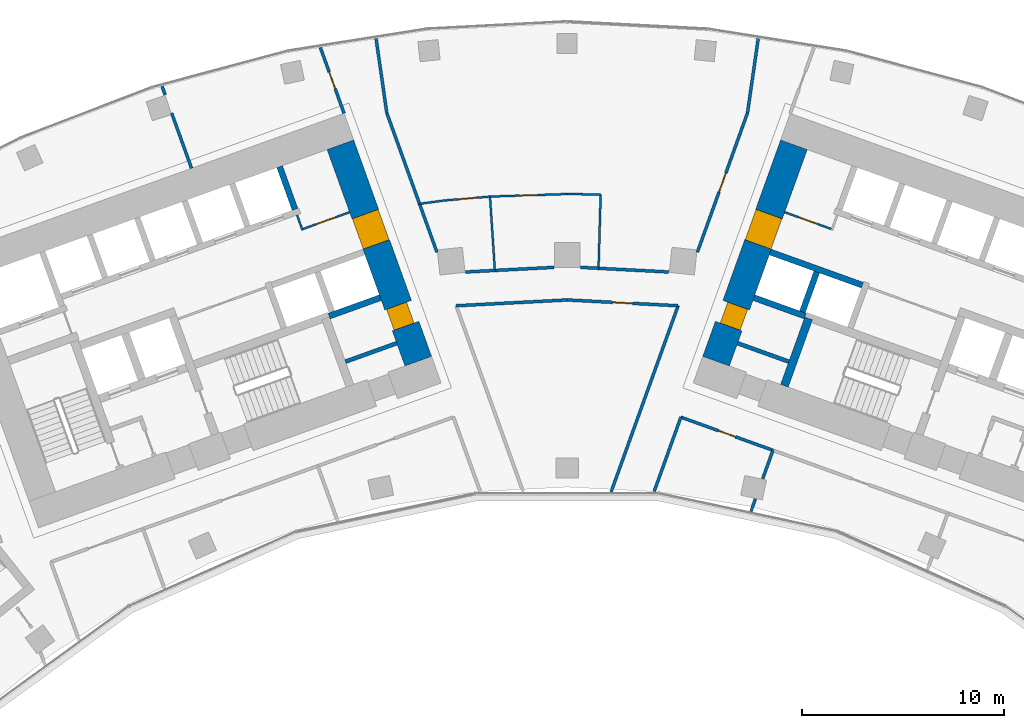
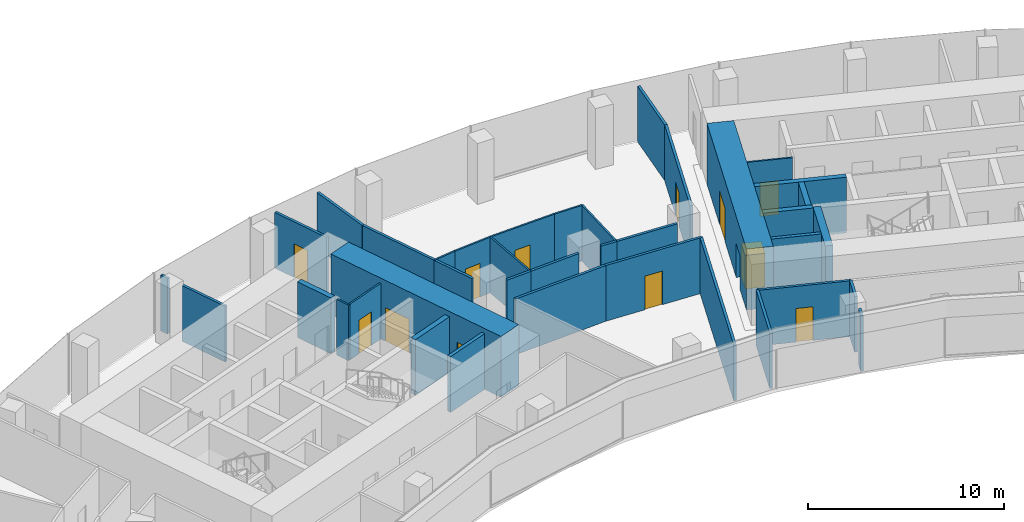
# One storey, part 15 of 20: 38 walls, 12 doors, 12 openings.
"""IFC4 building model written with IfcOpenShell, lengths in metres."""

from ifc_helpers import new_model, si_unit, direction, frame, frame_2d, origin, place, context, subcontext, project, spatial, rectangle, extrude, material, layer, layer_set, type_object, element, fill, save


model = new_model("IFC4")

# Units and contexts
model_context = context("Model", 3, precision=1e-05, world=origin(), true_north=direction((0.0, 1.0)))
body_context = subcontext(model_context, "Body", "Model", "MODEL_VIEW")
ifc_project = project(units=[si_unit("LENGTHUNIT", "METRE"), si_unit("AREAUNIT", "SQUARE_METRE"), si_unit("VOLUMEUNIT", "CUBIC_METRE"), si_unit("PLANEANGLEUNIT", "RADIAN"), si_unit("MASSUNIT", "GRAM", prefix="KILO")], contexts=[model_context])

# Site, building, storey
site_placement = place(None, origin())
site = spatial("IfcSite", under=ifc_project, at=site_placement, CompositionType="ELEMENT")
building_placement = place(site_placement, origin())
building = spatial("IfcBuilding", under=site, at=building_placement, Name="Stone Belt Terrace Tower", CompositionType="ELEMENT")
storey_placement = place(building_placement, frame((0.0, 0.0, 170.60009765625)))
storey = spatial("IfcBuildingStorey", under=building, at=storey_placement, Name="L41", CompositionType="ELEMENT", Elevation=170.60009765625)

# Wall
ifc_material_1 = material(Name="Plasterboard partition")
ifc_layer_1 = layer(ifc_material_1, 0.10009765625)
ifc_layer_set_1 = layer_set([ifc_layer_1], Name="Core partition 100")
wall_type_1 = type_object("IfcWallType", Name="Core partition 100", PredefinedType="PARTITIONING", material=ifc_layer_set_1)
wall_1_placement = place(storey_placement, frame((-13.115966796875, 56.230712890625, 0.0), z_axis=(0.0, 0.0, 1.0), x_axis=(-0.338481684961, 0.940972979923, 0.0)))
element("IfcWall", 1, at=wall_1_placement, inside=storey, type_object=wall_type_1, Name="Core A wall", PredefinedType="PARTITIONING", context=body_context, shape_type="SweptSolid", body=[
    extrude(rectangle(XDim=0.7998046875, YDim=0.10009765625, at=frame_2d((0.39990234375, 0.0))), origin(), (0.0, 0.0, 1.0), 3.47998046875),
])

# Wall, opening, door
wall_2_placement = place(storey_placement, frame((-13.085693359375, 56.294677734375, 0.0), z_axis=(0.0, 0.0, 1.0), x_axis=(0.940922976849, 0.338620660383, 0.0)))
wall_2 = element("IfcWall", 2, at=wall_2_placement, inside=storey, type_object=wall_type_1, Name="Core A wall", PredefinedType="PARTITIONING", context=body_context, shape_type="SweptSolid", body=[
    extrude(rectangle(XDim=2.449951171875, YDim=0.10009765625, at=frame_2d((1.22509765625, 0.0))), origin(), (0.0, 0.0, 1.0), 3.47998046875),
])
opening_1_placement = place(wall_2_placement, frame((0.699951171875, 0.0, 0.0)))
opening_1 = element("IfcOpeningElement", 3, at=opening_1_placement, cuts=wall_2, Name="Opening L41-C01", PredefinedType="OPENING", context=body_context, shape_type="SweptSolid", body=[
    extrude(rectangle(XDim=1.0, YDim=2.10009765625, at=frame_2d((0.5, 1.050048828125))), frame((0.0, 0.06005859375, 0.0), z_axis=(0.0, -1.0, 0.0), x_axis=(1.0, 0.0, 0.0)), (0.0, 0.0, 1.0), 0.1201171875),
])
ifc_material_2 = material(Name="Timber door leaf", Category="wood")
door_type_1 = type_object("IfcDoorType", Name="Core room door 1000", OperationType="SINGLE_SWING_LEFT", PredefinedType="DOOR", material=ifc_material_2)
door_1_placement = place(opening_1_placement, origin())
door_1 = element("IfcDoor", 4, at=door_1_placement, inside=storey, type_object=door_type_1, Name="Door to IT equipment room core A", OperationType="SINGLE_SWING_RIGHT", OverallHeight=2.10009765625, OverallWidth=1.0, PredefinedType="DOOR", context=body_context, shape_type="SweptSolid", body=[
    extrude(rectangle(XDim=1.0, YDim=2.10009765625, at=frame_2d((0.5, 1.050048828125))), frame((0.0, 0.02490234375, 0.0), z_axis=(0.0, -1.0, 0.0), x_axis=(1.0, 0.0, 0.0)), (0.0, 0.0, 1.0), 0.050048828125),
])
fill(opening_1, door_1)

wall_3_placement = place(storey_placement, frame((13.085693359375, 56.294677734375, 0.0), z_axis=(0.0, 0.0, 1.0), x_axis=(-0.940922976849, 0.338620660383, 0.0)))
wall_3 = element("IfcWall", 5, at=wall_3_placement, inside=storey, type_object=wall_type_1, Name="Core B wall", PredefinedType="PARTITIONING", context=body_context, shape_type="SweptSolid", body=[
    extrude(rectangle(XDim=2.449951171875, YDim=0.10009765625, at=frame_2d((1.22509765625, 0.0))), origin(), (0.0, 0.0, 1.0), 3.47998046875),
])
opening_2_placement = place(wall_3_placement, frame((0.699951171875, 0.0, 0.0)))
opening_2 = element("IfcOpeningElement", 6, at=opening_2_placement, cuts=wall_3, Name="Opening L41-C12", PredefinedType="OPENING", context=body_context, shape_type="SweptSolid", body=[
    extrude(rectangle(XDim=1.0, YDim=2.10009765625, at=frame_2d((0.5, 1.050048828125))), frame((0.0, 0.06005859375, 0.0), z_axis=(0.0, -1.0, 0.0), x_axis=(1.0, 0.0, 0.0)), (0.0, 0.0, 1.0), 0.1201171875),
])
door_2_placement = place(opening_2_placement, origin())
door_2 = element("IfcDoor", 7, at=door_2_placement, inside=storey, type_object=door_type_1, Name="Door to IT equipment room core B", OperationType="SINGLE_SWING_LEFT", OverallHeight=2.10009765625, OverallWidth=1.0, PredefinedType="DOOR", context=body_context, shape_type="SweptSolid", body=[
    extrude(rectangle(XDim=1.0, YDim=2.10009765625, at=frame_2d((0.5, 1.050048828125))), frame((0.0, 0.02490234375, 0.0), z_axis=(0.0, -1.0, 0.0), x_axis=(1.0, 0.0, 0.0)), (0.0, 0.0, 1.0), 0.050048828125),
])
fill(opening_2, door_2)

# Wall, openings, doors
ifc_material_3 = material(Name="Concrete B80", Category="concrete")
ifc_layer_2 = layer(ifc_material_3, 1.39990234375)
ifc_layer_set_2 = layer_set([ifc_layer_2], Name="Core wall 1400 B80")
wall_type_2 = type_object("IfcWallType", Name="Core wall 1400 B80", PredefinedType="SHEAR", material=ifc_layer_set_2)
wall_4_placement = place(storey_placement, frame((-7.379150390625, 49.73974609375, 0.0), z_axis=(0.0, 0.0, 1.0), x_axis=(-0.338625431531, 0.940921259788, 0.0)))
wall_4 = element("IfcWall", 8, at=wall_4_placement, inside=storey, type_object=wall_type_2, Name="Core A wall end_b L41", PredefinedType="SHEAR", context=body_context, shape_type="SweptSolid", body=[
    extrude(rectangle(XDim=11.400146484375, YDim=1.39990234375, at=frame_2d((5.7001953125, 0.0))), origin(), (0.0, 0.0, 1.0), 3.7998046875),
])
opening_3_placement = place(wall_4_placement, frame((6.14990234375, 0.0, 0.0)))
opening_3 = element("IfcOpeningElement", 9, at=opening_3_placement, cuts=wall_4, Name="Opening L41-C04", PredefinedType="OPENING", context=body_context, shape_type="SweptSolid", body=[
    extrude(rectangle(XDim=1.60009765625, YDim=2.10009765625, at=frame_2d((0.800048828125, 1.050048828125))), frame((0.0, 0.7099609375, 0.0), z_axis=(0.0, -1.0, 0.0), x_axis=(1.0, 0.0, 0.0)), (0.0, 0.0, 1.0), 1.419921875),
])
opening_4_placement = place(wall_4_placement, frame((1.85009765625, 0.0, 0.0)))
opening_4 = element("IfcOpeningElement", 10, at=opening_4_placement, cuts=wall_4, Name="Opening L41-C10", PredefinedType="OPENING", context=body_context, shape_type="SweptSolid", body=[
    extrude(rectangle(XDim=1.10009765625, YDim=2.10009765625, at=frame_2d((0.550048828125, 1.050048828125))), frame((0.0, 0.7099609375, 0.0), z_axis=(0.0, -1.0, 0.0), x_axis=(1.0, 0.0, 0.0)), (0.0, 0.0, 1.0), 1.419921875),
])
door_type_2 = type_object("IfcDoorType", Name="Core room door 1100", OperationType="SINGLE_SWING_LEFT", PredefinedType="DOOR", material=ifc_material_2)
door_3_placement = place(opening_4_placement, origin())
door_3 = element("IfcDoor", 11, at=door_3_placement, inside=storey, type_object=door_type_2, Name="Door to Accessible WC core A", OperationType="SINGLE_SWING_LEFT", OverallHeight=2.10009765625, OverallWidth=1.10009765625, PredefinedType="DOOR", context=body_context, shape_type="SweptSolid", body=[
    extrude(rectangle(XDim=1.10009765625, YDim=2.10009765625, at=frame_2d((0.550048828125, 1.050048828125))), frame((0.0, 0.60498046875, 0.0), z_axis=(0.0, -1.0, 0.0), x_axis=(1.0, 0.0, 0.0)), (0.0, 0.0, 1.0), 1.050048828125),
])
fill(opening_4, door_3)
ifc_material_4 = material(Name="Glazed aluminium door leaf", Category="aluminium")
door_type_3 = type_object("IfcDoorType", Name="Lift lobby entrance door 1600", OperationType="DOUBLE_DOOR_SINGLE_SWING", PredefinedType="DOOR", material=ifc_material_4)
door_4_placement = place(opening_3_placement, origin())
door_4 = element("IfcDoor", 12, at=door_4_placement, inside=storey, type_object=door_type_3, Name="Lift lobby entrance door core A", OperationType="DOUBLE_DOOR_SINGLE_SWING", OverallHeight=2.10009765625, OverallWidth=1.60009765625, PredefinedType="DOOR", context=body_context, shape_type="SweptSolid", body=[
    extrude(rectangle(XDim=1.60009765625, YDim=2.10009765625, at=frame_2d((0.800048828125, 1.050048828125))), frame((0.0, 0.68017578125, 0.0), z_axis=(0.0, -1.0, 0.0), x_axis=(1.0, 0.0, 0.0)), (0.0, 0.0, 1.0), 1.360107421875),
])
fill(opening_3, door_4)

wall_5_placement = place(storey_placement, frame((7.379150390625, 49.73974609375, 0.0), z_axis=(0.0, 0.0, 1.0), x_axis=(0.338625431531, 0.940921259788, 0.0)))
wall_5 = element("IfcWall", 13, at=wall_5_placement, inside=storey, type_object=wall_type_2, Name="Core B wall end_a L41", PredefinedType="SHEAR", context=body_context, shape_type="SweptSolid", body=[
    extrude(rectangle(XDim=11.400146484375, YDim=1.39990234375, at=frame_2d((5.7001953125, 0.0))), origin(), (0.0, 0.0, 1.0), 3.7998046875),
])
opening_5_placement = place(wall_5_placement, frame((6.14990234375, 0.0, 0.0)))
opening_5 = element("IfcOpeningElement", 14, at=opening_5_placement, cuts=wall_5, Name="Opening L41-C15", PredefinedType="OPENING", context=body_context, shape_type="SweptSolid", body=[
    extrude(rectangle(XDim=1.60009765625, YDim=2.10009765625, at=frame_2d((0.800048828125, 1.050048828125))), frame((0.0, 0.7099609375, 0.0), z_axis=(0.0, -1.0, 0.0), x_axis=(1.0, 0.0, 0.0)), (0.0, 0.0, 1.0), 1.419921875),
])
opening_6_placement = place(wall_5_placement, frame((1.85009765625, 0.0, 0.0)))
opening_6 = element("IfcOpeningElement", 15, at=opening_6_placement, cuts=wall_5, Name="Opening L41-C21", PredefinedType="OPENING", context=body_context, shape_type="SweptSolid", body=[
    extrude(rectangle(XDim=1.10009765625, YDim=2.10009765625, at=frame_2d((0.550048828125, 1.050048828125))), frame((0.0, 0.7099609375, 0.0), z_axis=(0.0, -1.0, 0.0), x_axis=(1.0, 0.0, 0.0)), (0.0, 0.0, 1.0), 1.419921875),
])
door_5_placement = place(opening_6_placement, origin())
door_5 = element("IfcDoor", 16, at=door_5_placement, inside=storey, type_object=door_type_2, Name="Door to Accessible WC core B", OperationType="SINGLE_SWING_RIGHT", OverallHeight=2.10009765625, OverallWidth=1.10009765625, PredefinedType="DOOR", context=body_context, shape_type="SweptSolid", body=[
    extrude(rectangle(XDim=1.10009765625, YDim=2.10009765625, at=frame_2d((0.550048828125, 1.050048828125))), frame((0.0, 0.44482421875, 0.0), z_axis=(0.0, -1.0, 0.0), x_axis=(1.0, 0.0, 0.0)), (0.0, 0.0, 1.0), 1.050048828125),
])
fill(opening_6, door_5)
door_6_placement = place(opening_5_placement, origin())
door_6 = element("IfcDoor", 17, at=door_6_placement, inside=storey, type_object=door_type_3, Name="Lift lobby entrance door core B", OperationType="DOUBLE_DOOR_SINGLE_SWING", OverallHeight=2.10009765625, OverallWidth=1.60009765625, PredefinedType="DOOR", context=body_context, shape_type="SweptSolid", body=[
    extrude(rectangle(XDim=1.60009765625, YDim=2.10009765625, at=frame_2d((0.800048828125, 1.050048828125))), frame((0.0, 0.68017578125, 0.0), z_axis=(0.0, -1.0, 0.0), x_axis=(1.0, 0.0, 0.0)), (0.0, 0.0, 1.0), 1.360107421875),
])
fill(opening_5, door_6)

# Walls
ifc_layer_3 = layer(ifc_material_3, 0.300048828125)
ifc_layer_set_3 = layer_set([ifc_layer_3], Name="Lift shaft wall 300")
wall_type_3 = type_object("IfcWallType", Name="Lift shaft wall 300", PredefinedType="SHEAR", material=ifc_layer_set_3)
wall_6_placement = place(storey_placement, frame((-11.797119140625, 51.975830078125, 0.0), z_axis=(0.0, 0.0, 1.0), x_axis=(0.940910465161, 0.33865542451, 0.0)))
element("IfcWall", 18, at=wall_6_placement, inside=storey, type_object=wall_type_3, Name="Core A wall", PredefinedType="SHEAR", context=body_context, shape_type="SweptSolid", body=[
    extrude(rectangle(XDim=2.69970703125, YDim=0.300048828125, at=frame_2d((1.349853515625, 0.0))), origin(), (0.0, 0.0, 1.0), 3.47998046875),
])
wall_7_placement = place(storey_placement, frame((-13.48828125, 57.265625, 0.0), z_axis=(0.0, 0.0, 1.0), x_axis=(-0.338631098537, 0.940919220286, 0.0)))
element("IfcWall", 19, at=wall_7_placement, inside=storey, type_object=wall_type_3, Name="Core A wall", PredefinedType="SHEAR", context=body_context, shape_type="SweptSolid", body=[
    extrude(rectangle(XDim=2.250244140625, YDim=0.300048828125, at=frame_2d((1.125, 0.0))), origin(), (0.0, 0.0, 1.0), 3.47998046875),
])
wall_8_placement = place(storey_placement, frame((14.6328125, 53.506103515625, 0.0), z_axis=(0.0, 0.0, 1.0), x_axis=(-0.940931684323, 0.338596464007, 0.0)))
element("IfcWall", 20, at=wall_8_placement, inside=storey, type_object=wall_type_3, Name="Core B wall", PredefinedType="SHEAR", context=body_context, shape_type="SweptSolid", body=[
    extrude(rectangle(XDim=4.849609375, YDim=0.300048828125, at=frame_2d((2.4248046875, 0.0))), origin(), (0.0, 0.0, 1.0), 3.47998046875),
])
wall_9_placement = place(storey_placement, frame((11.797119140625, 51.975830078125, 0.0), z_axis=(0.0, 0.0, 1.0), x_axis=(-0.940910465161, 0.33865542451, 0.0)))
element("IfcWall", 21, at=wall_9_placement, inside=storey, type_object=wall_type_3, Name="Core B wall", PredefinedType="SHEAR", context=body_context, shape_type="SweptSolid", body=[
    extrude(rectangle(XDim=2.69970703125, YDim=0.300048828125, at=frame_2d((1.349853515625, 0.0))), origin(), (0.0, 0.0, 1.0), 3.47998046875),
])
wall_10_placement = place(storey_placement, frame((11.659912109375, 52.184814453125, 0.0), z_axis=(0.0, 0.0, 1.0), x_axis=(0.338670064856, 0.940905195634, 0.0)))
element("IfcWall", 22, at=wall_10_placement, inside=storey, type_object=wall_type_3, Name="Core B wall", PredefinedType="SHEAR", context=body_context, shape_type="SweptSolid", body=[
    extrude(rectangle(XDim=2.099853515625, YDim=0.300048828125, at=frame_2d((1.0498046875, 0.0))), origin(), (0.0, 0.0, 1.0), 3.47998046875),
])

# Wall, opening, door
ifc_material_5 = material(Name="Gypsum board partition")
ifc_layer_4 = layer(ifc_material_5, 0.10009765625)
ifc_layer_set_4 = layer_set([ifc_layer_4], Name="PARTITION 100")
wall_type_4 = type_object("IfcWallType", Name="PARTITION 100", PredefinedType="PARTITIONING", material=ifc_layer_set_4)
wall_11_placement = place(storey_placement, frame((-3.823974609375, 57.89892578125, 0.0), z_axis=(0.0, 0.0, 1.0), x_axis=(-0.996353770626, -0.085318015439, 0.0)))
wall_11 = element("IfcWall", 23, at=wall_11_placement, inside=storey, type_object=wall_type_4, Name="L41/wall/i076", PredefinedType="PARTITIONING", context=body_context, shape_type="SweptSolid", body=[
    extrude(rectangle(XDim=2.249267578125, YDim=0.10009765625, at=frame_2d((1.12451171875, 0.0))), origin(), (0.0, 0.0, 1.0), 3.47998046875),
])
opening_7_placement = place(wall_11_placement, frame((0.674560546875, 0.0, 0.0)))
opening_7 = element("IfcOpeningElement", 24, at=opening_7_placement, cuts=wall_11, Name="Opening D-C3-25", PredefinedType="OPENING", context=body_context, shape_type="SweptSolid", body=[
    extrude(rectangle(XDim=0.89990234375, YDim=2.10009765625, at=frame_2d((0.449951171875, 1.050048828125))), frame((0.0, 0.06005859375, 0.0), z_axis=(0.0, -1.0, 0.0), x_axis=(1.0, 0.0, 0.0)), (0.0, 0.0, 1.0), 0.1201171875),
])
door_type_4 = type_object("IfcDoorType", Name="OFFICE DOOR 900 X 2100", OperationType="NOTDEFINED", PredefinedType="DOOR", material=ifc_material_2)
door_7_placement = place(opening_7_placement, origin())
door_7 = element("IfcDoor", 25, at=door_7_placement, inside=storey, type_object=door_type_4, Name="L41/door/i25", OperationType="SINGLE_SWING_RIGHT", OverallHeight=2.10009765625, OverallWidth=0.89990234375, PredefinedType="DOOR", context=body_context, shape_type="SweptSolid", body=[
    extrude(rectangle(XDim=0.89990234375, YDim=2.10009765625, at=frame_2d((0.449951171875, 1.050048828125))), frame((0.0, 0.02490234375, 0.0), z_axis=(0.0, -1.0, 0.0), x_axis=(1.0, 0.0, 0.0)), (0.0, 0.0, 1.0), 0.050048828125),
])
fill(opening_7, door_7)

# Walls
wall_12_placement = place(storey_placement, frame((-6.06494140625, 57.70703125, 0.0), z_axis=(0.0, 0.0, 1.0), x_axis=(-0.991238017123, -0.132087824608, 0.0)))
element("IfcWall", 26, at=wall_12_placement, inside=storey, type_object=wall_type_4, Name="L41/wall/i077", PredefinedType="PARTITIONING", context=body_context, shape_type="SweptSolid", body=[
    extrude(rectangle(XDim=1.26416015625, YDim=0.10009765625, at=frame_2d((0.632080078125, 0.0))), origin(), (0.0, 0.0, 1.0), 3.47998046875),
])
wall_13_placement = place(storey_placement, frame((1.555908203125, 54.343994140625, 0.0), z_axis=(0.0, 0.0, 1.0), x_axis=(0.028428321324, 0.999595833598, 0.0)))
element("IfcWall", 27, at=wall_13_placement, inside=storey, type_object=wall_type_4, Name="L41/wall/i078", PredefinedType="PARTITIONING", context=body_context, shape_type="SweptSolid", body=[
    extrude(rectangle(XDim=3.658447265625, YDim=0.10009765625, at=frame_2d((1.8291015625, 0.0))), origin(), (0.0, 0.0, 1.0), 3.47998046875),
])
wall_14_placement = place(storey_placement, frame((1.659912109375, 58.0009765625, 0.0), z_axis=(0.0, 0.0, 1.0), x_axis=(-0.999896136152, 0.014412387313, 0.0)))
element("IfcWall", 28, at=wall_14_placement, inside=storey, type_object=wall_type_4, Name="L41/wall/i079", PredefinedType="PARTITIONING", context=body_context, shape_type="SweptSolid", body=[
    extrude(rectangle(XDim=1.66015625, YDim=0.10009765625, at=frame_2d((0.830078125, 0.0))), origin(), (0.0, 0.0, 1.0), 3.47998046875),
])

# Wall, opening, door
wall_15_placement = place(storey_placement, frame((0.0, 58.02490234375, 0.0), z_axis=(0.0, 0.0, 1.0), x_axis=(-0.999457791673, -0.032926018036, 0.0)))
wall_15 = element("IfcWall", 29, at=wall_15_placement, inside=storey, type_object=wall_type_4, Name="L41/wall/i080", PredefinedType="PARTITIONING", context=body_context, shape_type="SweptSolid", body=[
    extrude(rectangle(XDim=3.825927734375, YDim=0.10009765625, at=frame_2d((1.9130859375, 0.0))), origin(), (0.0, 0.0, 1.0), 3.47998046875),
])
opening_8_placement = place(wall_15_placement, frame((1.463134765625, 0.0, 0.0)))
opening_8 = element("IfcOpeningElement", 30, at=opening_8_placement, cuts=wall_15, Name="Opening D-C3-26", PredefinedType="OPENING", context=body_context, shape_type="SweptSolid", body=[
    extrude(rectangle(XDim=0.89990234375, YDim=2.10009765625, at=frame_2d((0.449951171875, 1.050048828125))), frame((0.0, 0.06005859375, 0.0), z_axis=(0.0, -1.0, 0.0), x_axis=(1.0, 0.0, 0.0)), (0.0, 0.0, 1.0), 0.1201171875),
])
door_8_placement = place(opening_8_placement, origin())
door_8 = element("IfcDoor", 31, at=door_8_placement, inside=storey, type_object=door_type_4, Name="L41/door/i26", OperationType="SINGLE_SWING_RIGHT", OverallHeight=2.10009765625, OverallWidth=0.89990234375, PredefinedType="DOOR", context=body_context, shape_type="SweptSolid", body=[
    extrude(rectangle(XDim=0.89990234375, YDim=2.10009765625, at=frame_2d((0.449951171875, 1.050048828125))), frame((0.0, 0.02490234375, 0.0), z_axis=(0.0, -1.0, 0.0), x_axis=(1.0, 0.0, 0.0)), (0.0, 0.0, 1.0), 0.050048828125),
])
fill(opening_8, door_8)

# Wall
wall_16_placement = place(storey_placement, frame((-3.823974609375, 57.89892578125, 0.0), z_axis=(0.0, 0.0, 1.0), x_axis=(0.065927328972, -0.997824427089, 0.0)))
element("IfcWall", 32, at=wall_16_placement, inside=storey, type_object=wall_type_4, Name="L41/wall/i081", PredefinedType="PARTITIONING", context=body_context, shape_type="SweptSolid", body=[
    extrude(rectangle(XDim=3.669921875, YDim=0.10009765625, at=frame_2d((1.8349609375, 0.0))), origin(), (0.0, 0.0, 1.0), 3.47998046875),
])

# Wall, opening, door
ifc_layer_5 = layer(ifc_material_5, 0.14990234375)
ifc_layer_set_5 = layer_set([ifc_layer_5], Name="PARTITION 150 EI 60")
wall_type_5 = type_object("IfcWallType", Name="PARTITION 150 EI 60", PredefinedType="PARTITIONING", material=ifc_layer_set_5)
wall_17_placement = place(storey_placement, frame((-11.054931640625, 62.02099609375, 0.0), z_axis=(0.0, 0.0, 1.0), x_axis=(-0.338942963923, 0.940806923448, 0.0)))
wall_17 = element("IfcWall", 33, at=wall_17_placement, inside=storey, type_object=wall_type_5, Name="L41/wall/i009", PredefinedType="PARTITIONING", context=body_context, shape_type="SweptSolid", body=[
    extrude(rectangle(XDim=3.481201171875, YDim=0.14990234375, at=frame_2d((1.74072265625, 0.0))), origin(), (0.0, 0.0, 1.0), 3.47998046875),
])
opening_9_placement = place(wall_17_placement, frame((1.29052734375, 0.0, 0.0)))
opening_9 = element("IfcOpeningElement", 34, at=opening_9_placement, cuts=wall_17, Name="Opening D-C3-05", PredefinedType="OPENING", context=body_context, shape_type="SweptSolid", body=[
    extrude(rectangle(XDim=0.89990234375, YDim=2.10009765625, at=frame_2d((0.449951171875, 1.050048828125))), frame((0.0, 0.0849609375, 0.0), z_axis=(0.0, -1.0, 0.0), x_axis=(1.0, 0.0, 0.0)), (0.0, 0.0, 1.0), 0.169921875),
])
door_9_placement = place(opening_9_placement, origin())
door_9 = element("IfcDoor", 35, at=door_9_placement, inside=storey, type_object=door_type_4, Name="L41/door/i05", OperationType="SINGLE_SWING_RIGHT", OverallHeight=2.10009765625, OverallWidth=0.89990234375, PredefinedType="DOOR", context=body_context, shape_type="SweptSolid", body=[
    extrude(rectangle(XDim=0.89990234375, YDim=2.10009765625, at=frame_2d((0.449951171875, 1.050048828125))), frame((0.0, 0.02490234375, 0.0), z_axis=(0.0, -1.0, 0.0), x_axis=(1.0, 0.0, 0.0)), (0.0, 0.0, 1.0), 0.050048828125),
])
fill(opening_9, door_9)

# Walls
wall_18_placement = place(storey_placement, frame((-9.47021484375, 65.736083984375, 0.0), z_axis=(0.0, 0.0, 1.0), x_axis=(0.14267653425, -0.989769370396, 0.0)))
element("IfcWall", 36, at=wall_18_placement, inside=storey, type_object=wall_type_5, Name="L41/wall/i011", PredefinedType="PARTITIONING", context=body_context, shape_type="SweptSolid", body=[
    extrude(rectangle(XDim=3.730224609375, YDim=0.14990234375, at=frame_2d((1.865234375, 0.0))), origin(), (0.0, 0.0, 1.0), 3.47998046875),
])
wall_19_placement = place(storey_placement, frame((-8.93798828125, 62.04296875, 0.0), z_axis=(0.0, 0.0, 1.0), x_axis=(0.338681584055, -0.940901049326, 0.0)))
element("IfcWall", 37, at=wall_19_placement, inside=storey, type_object=wall_type_5, Name="L41/wall/i012", PredefinedType="PARTITIONING", context=body_context, shape_type="SweptSolid", body=[
    extrude(rectangle(XDim=4.792236328125, YDim=0.14990234375, at=frame_2d((2.39599609375, 0.0))), origin(), (0.0, 0.0, 1.0), 3.47998046875),
])
wall_20_placement = place(storey_placement, frame((-7.319091796875, 57.5458984375, 0.0), z_axis=(0.0, 0.0, 1.0), x_axis=(0.338411575899, -0.940998196224, 0.0)))
element("IfcWall", 38, at=wall_20_placement, inside=storey, type_object=wall_type_5, Name="L41/wall/i013", PredefinedType="PARTITIONING", context=body_context, shape_type="SweptSolid", body=[
    extrude(rectangle(XDim=2.555419921875, YDim=0.14990234375, at=frame_2d((1.27783203125, 0.0))), origin(), (0.0, 0.0, 1.0), 3.47998046875),
])
wall_21_placement = place(storey_placement, frame((-20.079833984375, 63.37109375, 0.0), z_axis=(0.0, 0.0, 1.0), x_axis=(0.338472917715, -0.940976133583, 0.0)))
element("IfcWall", 39, at=wall_21_placement, inside=storey, type_object=wall_type_5, Name="L41/wall/i019", PredefinedType="PARTITIONING", context=body_context, shape_type="SweptSolid", body=[
    extrude(rectangle(XDim=0.455810546875, YDim=0.14990234375, at=frame_2d((0.22802734375, 0.0))), origin(), (0.0, 0.0, 1.0), 3.47998046875),
])
wall_22_placement = place(storey_placement, frame((-19.599609375, 62.036376953125, 0.0), z_axis=(0.0, 0.0, 1.0), x_axis=(0.338579742178, -0.940937701544, 0.0)))
element("IfcWall", 40, at=wall_22_placement, inside=storey, type_object=wall_type_5, Name="L41/wall/i020", PredefinedType="PARTITIONING", context=body_context, shape_type="SweptSolid", body=[
    extrude(rectangle(XDim=2.908203125, YDim=0.14990234375, at=frame_2d((1.4541015625, 0.0))), origin(), (0.0, 0.0, 1.0), 3.47998046875),
])
wall_23_placement = place(storey_placement, frame((5.638916015625, 46.971923828125, 0.0), z_axis=(0.0, 0.0, 1.0), x_axis=(-0.338569683937, -0.940941320763, 0.0)))
element("IfcWall", 41, at=wall_23_placement, inside=storey, type_object=wall_type_5, Name="L41/wall/i021", PredefinedType="PARTITIONING", context=body_context, shape_type="SweptSolid", body=[
    extrude(rectangle(XDim=3.9248046875, YDim=0.14990234375, at=frame_2d((1.96240234375, 0.0))), origin(), (0.0, 0.0, 1.0), 3.47998046875),
])
wall_24_placement = place(storey_placement, frame((2.178466796875, 43.26171875, 0.0), z_axis=(0.0, 0.0, 1.0), x_axis=(0.338654259988, 0.940910884299, 0.0)))
element("IfcWall", 42, at=wall_24_placement, inside=storey, type_object=wall_type_5, Name="L41/wall/i023", PredefinedType="PARTITIONING", context=body_context, shape_type="SweptSolid", body=[
    extrude(rectangle(XDim=9.81103515625, YDim=0.14990234375, at=frame_2d((4.905517578125, 0.0))), origin(), (0.0, 0.0, 1.0), 3.47998046875),
])

# Wall, opening, door
wall_25_placement = place(storey_placement, frame((6.4541015625, 55.140625, 0.0), z_axis=(0.0, 0.0, 1.0), x_axis=(0.338603971116, 0.940928982838, 0.0)))
wall_25 = element("IfcWall", 43, at=wall_25_placement, inside=storey, type_object=wall_type_5, Name="L41/wall/i024", PredefinedType="PARTITIONING", context=body_context, shape_type="SweptSolid", body=[
    extrude(rectangle(XDim=7.335693359375, YDim=0.14990234375, at=frame_2d((3.66796875, 0.0))), origin(), (0.0, 0.0, 1.0), 3.47998046875),
])
opening_10_placement = place(wall_25_placement, frame((3.16796875, 0.0, 0.0)))
opening_10 = element("IfcOpeningElement", 44, at=opening_10_placement, cuts=wall_25, Name="Opening D-C3-24", PredefinedType="OPENING", context=body_context, shape_type="SweptSolid", body=[
    extrude(rectangle(XDim=1.0, YDim=2.10009765625, at=frame_2d((0.5, 1.050048828125))), frame((0.0, 0.0849609375, 0.0), z_axis=(0.0, -1.0, 0.0), x_axis=(1.0, 0.0, 0.0)), (0.0, 0.0, 1.0), 0.169921875),
])
ifc_material_6 = material(Name="Timber fire door leaf", Category="wood")
door_type_5 = type_object("IfcDoorType", Name="TENANCY ENTRANCE DOOR 1000 X 2100", OperationType="NOTDEFINED", PredefinedType="DOOR", material=ifc_material_6)
door_10_placement = place(opening_10_placement, origin())
door_10 = element("IfcDoor", 45, at=door_10_placement, inside=storey, type_object=door_type_5, Name="L41/door/i24", OperationType="SINGLE_SWING_RIGHT", OverallHeight=2.10009765625, OverallWidth=1.0, PredefinedType="DOOR", context=body_context, shape_type="SweptSolid", body=[
    extrude(rectangle(XDim=1.0, YDim=2.10009765625, at=frame_2d((0.5, 1.050048828125))), frame((0.0, 0.02490234375, 0.0), z_axis=(0.0, -1.0, 0.0), x_axis=(1.0, 0.0, 0.0)), (0.0, 0.0, 1.0), 0.050048828125),
])
fill(opening_10, door_10)

# Wall
wall_26_placement = place(storey_placement, frame((8.93798828125, 62.0439453125, 0.0), z_axis=(0.0, 0.0, 1.0), x_axis=(0.14267653425, 0.989769370396, 0.0)))
element("IfcWall", 46, at=wall_26_placement, inside=storey, type_object=wall_type_5, Name="L41/wall/i025", PredefinedType="PARTITIONING", context=body_context, shape_type="SweptSolid", body=[
    extrude(rectangle(XDim=3.730224609375, YDim=0.14990234375, at=frame_2d((1.865234375, 0.0))), origin(), (0.0, 0.0, 1.0), 3.47998046875),
])

# Wall, opening, door
wall_27_placement = place(storey_placement, frame((10.205078125, 45.322021484375, 0.0), z_axis=(0.0, 0.0, 1.0), x_axis=(-0.94091881935, 0.338632212575, 0.0)))
wall_27 = element("IfcWall", 47, at=wall_27_placement, inside=storey, type_object=wall_type_5, Name="L41/wall/i032", PredefinedType="PARTITIONING", context=body_context, shape_type="SweptSolid", body=[
    extrude(rectangle(XDim=4.85498046875, YDim=0.14990234375, at=frame_2d((2.427490234375, 0.0))), origin(), (0.0, 0.0, 1.0), 3.47998046875),
])
opening_11_placement = place(wall_27_placement, frame((1.977294921875, 0.0, 0.0)))
opening_11 = element("IfcOpeningElement", 48, at=opening_11_placement, cuts=wall_27, Name="Opening D-C3-06", PredefinedType="OPENING", context=body_context, shape_type="SweptSolid", body=[
    extrude(rectangle(XDim=0.89990234375, YDim=2.10009765625, at=frame_2d((0.449951171875, 1.050048828125))), frame((0.0, 0.0849609375, 0.0), z_axis=(0.0, -1.0, 0.0), x_axis=(1.0, 0.0, 0.0)), (0.0, 0.0, 1.0), 0.169921875),
])
door_11_placement = place(opening_11_placement, origin())
door_11 = element("IfcDoor", 49, at=door_11_placement, inside=storey, type_object=door_type_4, Name="L41/door/i06", OperationType="SINGLE_SWING_RIGHT", OverallHeight=2.10009765625, OverallWidth=0.89990234375, PredefinedType="DOOR", context=body_context, shape_type="SweptSolid", body=[
    extrude(rectangle(XDim=0.89990234375, YDim=2.10009765625, at=frame_2d((0.449951171875, 1.050048828125))), frame((0.0, 0.02490234375, 0.0), z_axis=(0.0, -1.0, 0.0), x_axis=(1.0, 0.0, 0.0)), (0.0, 0.0, 1.0), 0.050048828125),
])
fill(opening_11, door_11)

# Walls
wall_28_placement = place(storey_placement, frame((10.198974609375, 45.323974609375, 0.0), z_axis=(0.0, 0.0, 1.0), x_axis=(-0.338418266877, -0.940995789918, 0.0)))
element("IfcWall", 50, at=wall_28_placement, inside=storey, type_object=wall_type_5, Name="L41/wall/i035", PredefinedType="PARTITIONING", context=body_context, shape_type="SweptSolid", body=[
    extrude(rectangle(XDim=1.49267578125, YDim=0.14990234375, at=frame_2d((0.746337890625, 0.0))), origin(), (0.0, 0.0, 1.0), 3.47998046875),
])
wall_29_placement = place(storey_placement, frame((9.33154296875, 42.91259765625, 0.0), z_axis=(0.0, 0.0, 1.0), x_axis=(-0.338470305023, -0.940977073375, 0.0)))
element("IfcWall", 51, at=wall_29_placement, inside=storey, type_object=wall_type_5, Name="L41/wall/i036", PredefinedType="PARTITIONING", context=body_context, shape_type="SweptSolid", body=[
    extrude(rectangle(XDim=0.6591796875, YDim=0.14990234375, at=frame_2d((0.32958984375, 0.0))), origin(), (0.0, 0.0, 1.0), 3.47998046875),
])

# Wall, opening, door
wall_30_placement = place(storey_placement, frame((5.4990234375, 52.487060546875, 0.0), z_axis=(0.0, 0.0, 1.0), x_axis=(-0.998632852887, 0.052272604047, 0.0)))
wall_30 = element("IfcWall", 52, at=wall_30_placement, inside=storey, type_object=wall_type_5, Name="L41/wall/i070", PredefinedType="PARTITIONING", context=body_context, shape_type="SweptSolid", body=[
    extrude(rectangle(XDim=5.506591796875, YDim=0.14990234375, at=frame_2d((2.75341796875, 0.0))), origin(), (0.0, 0.0, 1.0), 3.47998046875),
])
opening_12_placement = place(wall_30_placement, frame((2.253173828125, 0.0, 0.0)))
opening_12 = element("IfcOpeningElement", 53, at=opening_12_placement, cuts=wall_30, Name="Opening D-C3-23", PredefinedType="OPENING", context=body_context, shape_type="SweptSolid", body=[
    extrude(rectangle(XDim=1.0, YDim=2.10009765625, at=frame_2d((0.5, 1.050048828125))), frame((0.0, 0.0849609375, 0.0), z_axis=(0.0, -1.0, 0.0), x_axis=(1.0, 0.0, 0.0)), (0.0, 0.0, 1.0), 0.169921875),
])
door_12_placement = place(opening_12_placement, origin())
door_12 = element("IfcDoor", 54, at=door_12_placement, inside=storey, type_object=door_type_5, Name="L41/door/i23", OperationType="SINGLE_SWING_RIGHT", OverallHeight=2.10009765625, OverallWidth=1.0, PredefinedType="DOOR", context=body_context, shape_type="SweptSolid", body=[
    extrude(rectangle(XDim=1.0, YDim=2.10009765625, at=frame_2d((0.5, 1.050048828125))), frame((0.0, 0.02490234375, 0.0), z_axis=(0.0, -1.0, 0.0), x_axis=(1.0, 0.0, 0.0)), (0.0, 0.0, 1.0), 0.050048828125),
])
fill(opening_12, door_12)

# Walls
wall_31_placement = place(storey_placement, frame((0.0, 52.77490234375, 0.0), z_axis=(0.0, 0.0, 1.0), x_axis=(-0.998632852887, -0.052272604047, 0.0)))
element("IfcWall", 55, at=wall_31_placement, inside=storey, type_object=wall_type_5, Name="L41/wall/i071", PredefinedType="PARTITIONING", context=body_context, shape_type="SweptSolid", body=[
    extrude(rectangle(XDim=5.506591796875, YDim=0.14990234375, at=frame_2d((2.75341796875, 0.0))), origin(), (0.0, 0.0, 1.0), 3.47998046875),
])
wall_32_placement = place(storey_placement, frame((1.550048828125, 54.343994140625, 0.0), z_axis=(0.0, 0.0, 1.0), x_axis=(0.998629019036, -0.052345795812, 0.0)))
element("IfcWall", 56, at=wall_32_placement, inside=storey, type_object=wall_type_5, Name="L41/wall/i072", PredefinedType="PARTITIONING", context=body_context, shape_type="SweptSolid", body=[
    extrude(rectangle(XDim=3.48876953125, YDim=0.14990234375, at=frame_2d((1.744384765625, 0.0))), origin(), (0.0, 0.0, 1.0), 3.47998046875),
])
wall_33_placement = place(storey_placement, frame((-5.033935546875, 54.161376953125, 0.0), z_axis=(0.0, 0.0, 1.0), x_axis=(0.998620599498, 0.052506173517, 0.0)))
element("IfcWall", 57, at=wall_33_placement, inside=storey, type_object=wall_type_5, Name="L41/wall/i073", PredefinedType="PARTITIONING", context=body_context, shape_type="SweptSolid", body=[
    extrude(rectangle(XDim=1.4599609375, YDim=0.14990234375, at=frame_2d((0.72998046875, 0.0))), origin(), (0.0, 0.0, 1.0), 3.47998046875),
])
wall_34_placement = place(storey_placement, frame((-3.587890625, 54.237060546875, 0.0), z_axis=(0.0, 0.0, 1.0), x_axis=(0.998632030304, 0.052288316579, 0.0)))
element("IfcWall", 58, at=wall_34_placement, inside=storey, type_object=wall_type_5, Name="L41/wall/i074", PredefinedType="PARTITIONING", context=body_context, shape_type="SweptSolid", body=[
    extrude(rectangle(XDim=2.936767578125, YDim=0.14990234375, at=frame_2d((1.46826171875, 0.0))), origin(), (0.0, 0.0, 1.0), 3.47998046875),
])
wall_35_placement = place(storey_placement, frame((0.655029296875, 54.390625, 0.0), z_axis=(0.0, 0.0, 1.0), x_axis=(0.998625245027, -0.052417745028, 0.0)))
element("IfcWall", 59, at=wall_35_placement, inside=storey, type_object=wall_type_5, Name="L41/wall/i075", PredefinedType="PARTITIONING", context=body_context, shape_type="SweptSolid", body=[
    extrude(rectangle(XDim=0.908203125, YDim=0.14990234375, at=frame_2d((0.4541015625, 0.0))), origin(), (0.0, 0.0, 1.0), 3.47998046875),
])
ifc_material_7 = material(Name="Concrete masonry block", Category="masonry")
ifc_layer_6 = layer(ifc_material_7, 0.199951171875)
ifc_layer_set_6 = layer_set([ifc_layer_6], Name="Rated lobby wall 200")
wall_type_6 = type_object("IfcWallType", Name="Rated lobby wall 200", PredefinedType="PARTITIONING", material=ifc_layer_set_6)
for number, where, z_axis, x_axis, name in (
    (60, (-10.984619140625, 49.717529296875, 0.0), (0.0, 0.0, 1.0), (0.940920834877, 0.338626612206, 0.0), "Core A wall"),
    (61, (10.984619140625, 49.717529296875, 0.0), (0.0, 0.0, 1.0), (-0.940920834877, 0.338626612206, 0.0), "Core B wall"),
):
    element("IfcWall", number, at=place(storey_placement, frame(where, z_axis=z_axis, x_axis=x_axis)), inside=storey, type_object=wall_type_6, Name=name, PredefinedType="PARTITIONING", context=body_context, shape_type="SweptSolid", body=[
        extrude(rectangle(XDim=2.699951171875, YDim=0.199951171875, at=frame_2d((1.35009765625, 0.0))), origin(), (0.0, 0.0, 1.0), 3.47998046875),
    ])
ifc_layer_7 = layer(ifc_material_3, 0.39990234375)
ifc_layer_set_7 = layer_set([ifc_layer_7], Name="Stair enclosure wall 400")
wall_type_7 = type_object("IfcWallType", Name="Stair enclosure wall 400", PredefinedType="SHEAR", material=ifc_layer_set_7)
wall_36_placement = place(storey_placement, frame((10.766357421875, 48.520751953125, 0.0), z_axis=(0.0, 0.0, 1.0), x_axis=(0.338626928157, 0.94092072117, 0.0)))
element("IfcWall", 62, at=wall_36_placement, inside=storey, type_object=wall_type_7, Name="Core B wall", PredefinedType="SHEAR", context=body_context, shape_type="SweptSolid", body=[
    extrude(rectangle(XDim=3.550048828125, YDim=0.39990234375, at=frame_2d((1.77490234375, 0.0))), origin(), (0.0, 0.0, 1.0), 3.47998046875),
])

save(model, "model.ifc")
